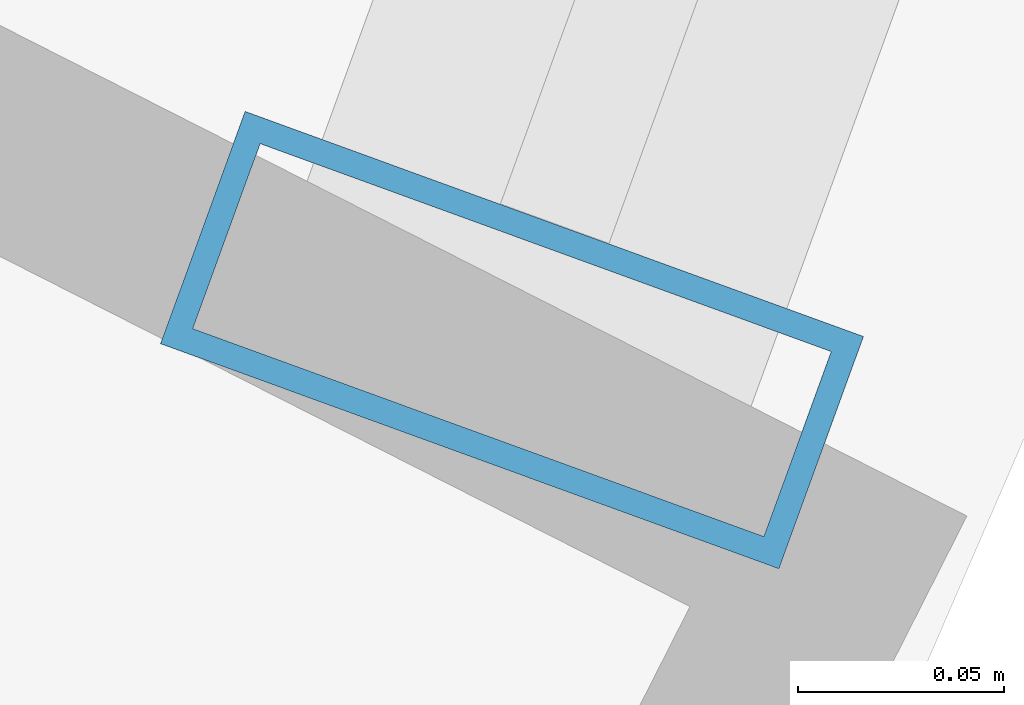
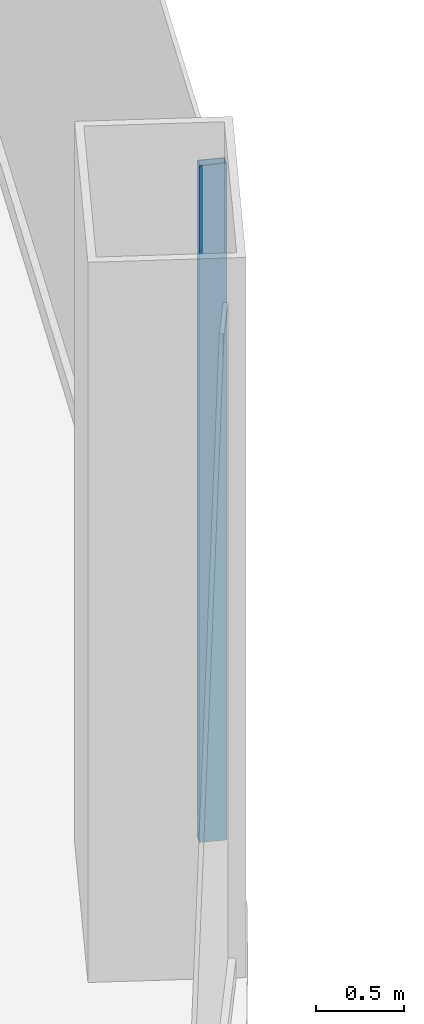
# One storey, part 15 of 47: 1 member, 1 element without a shape of its own.
"""IFC4 building model written with IfcOpenShell, lengths in metres."""

from ifc_helpers import new_model, si_unit, direction, frame, origin, origin_2d, place, context, subcontext, project, spatial, hollow_rectangle, extrude, material, layer, layer_set, material_profile, profile_set, type_object, element, aggregate, save


model = new_model("IFC4")

# Units and contexts
model_context = context("Model", 3, precision=1e-05, world=origin(), true_north=direction((0.0, 1.0)))
body_context = subcontext(model_context, "Body", "Model", "MODEL_VIEW")
ifc_project = project(units=[si_unit("LENGTHUNIT", "METRE"), si_unit("AREAUNIT", "SQUARE_METRE"), si_unit("VOLUMEUNIT", "CUBIC_METRE"), si_unit("PLANEANGLEUNIT", "RADIAN"), si_unit("MASSUNIT", "GRAM", prefix="KILO")], contexts=[model_context])

# Site, building, storey
site_placement = place(None, origin())
site = spatial("IfcSite", under=ifc_project, at=site_placement, CompositionType="ELEMENT")
building_placement = place(site_placement, origin())
building = spatial("IfcBuilding", under=site, at=building_placement, Name="Nagisa Residences", CompositionType="ELEMENT")
storey_placement = place(building_placement, frame((0.0, 0.0, 7.0)))
storey = spatial("IfcBuildingStorey", under=building, at=storey_placement, Name="L01", CompositionType="ELEMENT", Elevation=7.0)

# Curtain wall, member
ifc_material_1 = material(Name="Stainless steel curtain wall system", Category="steel")
ifc_layer = layer(ifc_material_1, 0.159912109375)
ifc_layer_set = layer_set([ifc_layer], Name="CW6 CURTAIN WALL")
curtain_wall_type = type_object("IfcCurtainWallType", Name="CW6 CURTAIN WALL", PredefinedType="NOTDEFINED", material=ifc_layer_set)
curtain_wall_placement = place(storey_placement, origin())
curtain_wall = element("IfcCurtainWall", 1, at=curtain_wall_placement, inside=storey, type_object=curtain_wall_type, Name="cw:CW6:L01:44", PredefinedType="NOTDEFINED")
ifc_material_2 = material(Name="Stainless steel", Category="steel")
ifc_material_profile = material_profile(ifc_material_2, hollow_rectangle(XDim=0.159912109375, YDim=0.06005859375, WallThickness=0.006103515625, at=origin_2d()), Name="CW6 MULLION 160x60")
ifc_profile_set = profile_set([ifc_material_profile], Name="Stainless steel")
member_type = type_object("IfcMemberType", Name="CW6 MULLION 160x60", PredefinedType="MULLION", material=ifc_profile_set)
member_placement = place(storey_placement, frame((28.88916015625, -15.78662109375, 0.0), z_axis=(0.0, 0.0, 1.0), x_axis=(-0.939681861718, 0.342049702176, 0.0)))
member = element("IfcMember", 2, at=member_placement, type_object=member_type, Name="CW6 mullion", PredefinedType="MULLION", context=body_context, shape_type="SweptSolid", body=[
    extrude(hollow_rectangle(XDim=0.159912109375, YDim=0.06005859375, WallThickness=0.006103515625, at=origin_2d()), origin(), (0.0, 0.0, 1.0), 4.699951171875),
])
aggregate(curtain_wall, [member])

save(model, "model.ifc")
